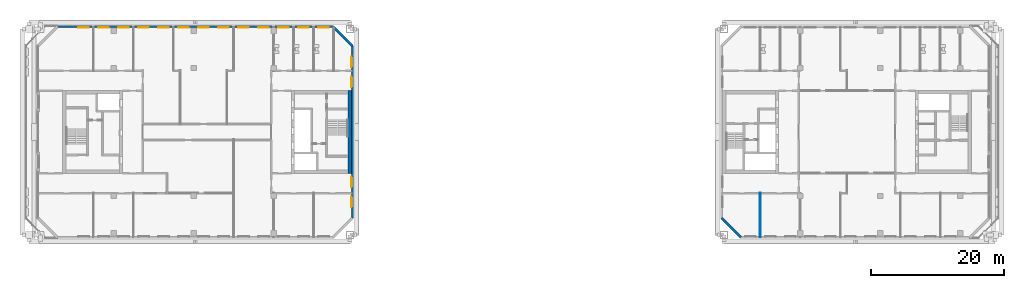
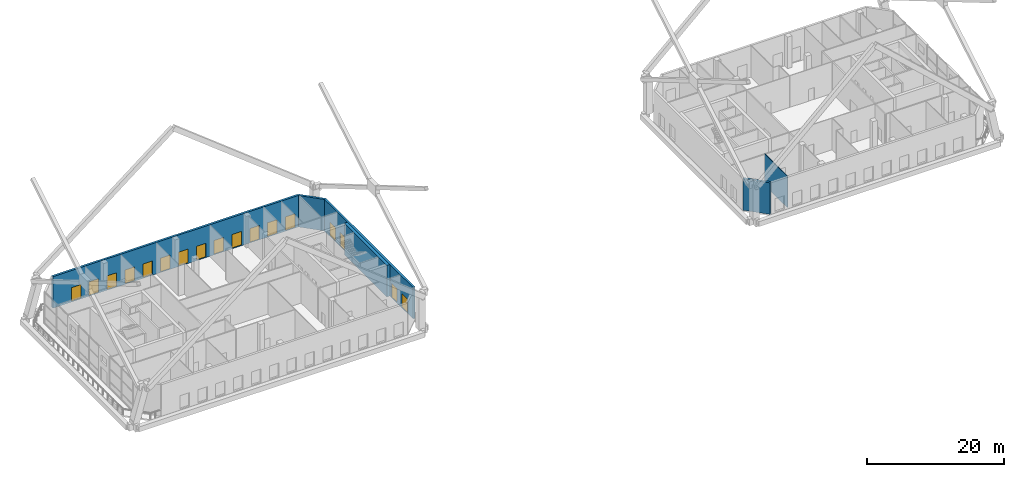
# One storey, part 12 of 20: 17 windows, 6 walls, 17 openings.
"""IFC4 building model written with IfcOpenShell, lengths in metres."""

import ifcopenshell
import ifcopenshell.guid

model = None  # the IFC model being written
_history = None  # IfcOwnerHistory: only IFC2X3 demands one
_inside = {}  # id of a spatial element -> (the spatial element, [elements in it])
_under = {}  # id of a project, library or spatial element -> (it, [spatial elements below it])
_declared = {}  # id of a project -> (the project, [libraries it declares])
_typed = {}  # id of a type object -> (the type object, [elements of that type])
_made_of = {}  # id of a material, layer set ... -> (it, [elements and type objects made of it])


def new_model(schema):
    """Start an empty IFC model of exactly this schema.

    Asked for "IFC4X3", IfcOpenShell would pick the latest addendum, in which some entities
    have other attributes; the version numbers below select the first issue.
    IFC2X3 requires an IfcOwnerHistory on every rooted entity: one is made here for all.
    """
    global model, _history
    if schema == "IFC4X3":
        model = ifcopenshell.file(schema_version=(4, 3, 0, 0))
    else:
        model = ifcopenshell.file(schema=schema)
    _inside.clear()
    _under.clear()
    _declared.clear()
    _typed.clear()
    _made_of.clear()
    _history = None
    if model.schema == "IFC2X3":
        org = make("IfcOrganization", Name="unknown")
        user = make(
            "IfcPersonAndOrganization",
            ThePerson=make("IfcPerson", FamilyName="unknown"),
            TheOrganization=org,
        )
        app = make(
            "IfcApplication",
            ApplicationDeveloper=org,
            Version="unknown",
            ApplicationFullName="unknown",
            ApplicationIdentifier="unknown",
        )
        _history = make(
            "IfcOwnerHistory",
            OwningUser=user,
            OwningApplication=app,
            ChangeAction="ADDED",
            CreationDate=0,
        )
    return model


def make(cls, **values):
    """One entity of the class cls with the attributes given. An attribute that is None is left unset."""
    return model.create_entity(
        cls, **{name: value for name, value in values.items() if value is not None}
    )


def rooted(cls, **values):
    """An entity with a GlobalId (a new one), such as an element, a storey or a relation."""
    return make(cls, GlobalId=ifcopenshell.guid.new(), OwnerHistory=_history, **values)


def si_unit(unit_type, name, prefix=None):
    """IfcSIUnit, for example si_unit("LENGTHUNIT", "METRE", prefix="MILLI")."""
    return make("IfcSIUnit", UnitType=unit_type, Prefix=prefix, Name=name)


def assignment(units):
    """IfcUnitAssignment: the units of a project."""
    return None if units is None else make("IfcUnitAssignment", Units=units)


def point(xyz):
    """IfcCartesianPoint."""
    return None if xyz is None else make("IfcCartesianPoint", Coordinates=xyz)


def direction(xyz):
    """IfcDirection."""
    return None if xyz is None else make("IfcDirection", DirectionRatios=xyz)


def frame(location, z_axis=None, x_axis=None):
    """IfcAxis2Placement3D, a coordinate frame: its origin and axes. An axis left out is left unset."""
    return make(
        "IfcAxis2Placement3D",
        Location=point(location),
        Axis=direction(z_axis),
        RefDirection=direction(x_axis),
    )


def frame_2d(location, x_axis=None):
    """IfcAxis2Placement2D, a coordinate frame in the plane: its origin and x axis."""
    return make(
        "IfcAxis2Placement2D", Location=point(location), RefDirection=direction(x_axis)
    )


def origin():
    """The frame at (0, 0, 0) with its axes left unset."""
    return frame((0.0, 0.0, 0.0))


def place(relative_to, where):
    """IfcLocalPlacement: puts the frame where relative to a parent placement (None: the world)."""
    return make(
        "IfcLocalPlacement", PlacementRelTo=relative_to, RelativePlacement=where
    )


def context(
    kind, dimensions, precision=None, world=None, true_north=None, identifier=None
):
    """IfcGeometricRepresentationContext, for example the 3D "Model" context."""
    return make(
        "IfcGeometricRepresentationContext",
        ContextIdentifier=identifier,
        ContextType=kind,
        CoordinateSpaceDimension=dimensions,
        Precision=precision,
        WorldCoordinateSystem=world,
        TrueNorth=true_north,
    )


def subcontext(parent, identifier, kind, view, scale=None):
    """IfcGeometricRepresentationSubContext, for example "Body" below "Model"."""
    return make(
        "IfcGeometricRepresentationSubContext",
        ContextIdentifier=identifier,
        ContextType=kind,
        ParentContext=parent,
        TargetScale=scale,
        TargetView=view,
    )


def project(units=None, contexts=None):
    """IfcProject with its units and contexts."""
    return rooted(
        "IfcProject",
        Name="project",
        RepresentationContexts=contexts,
        UnitsInContext=assignment(units),
    )


def spatial(cls, under=None, at=None, **own):
    """A site, building, storey or space (cls), placed at a placement, below another one or the project."""
    s = rooted(cls, ObjectPlacement=at, **own)
    if under is not None:
        _under.setdefault(under.id(), (under, []))[1].append(s)
    return s


def profile(cls, at=None, kind="AREA", **sizes):
    """A parametric profile (cls). Its sizes go by their IFC names, for example OverallWidth=200.0."""
    return make(cls, ProfileType=kind, Position=at, **sizes)


def rectangle(**sizes):
    """IfcRectangleProfileDef."""
    return profile("IfcRectangleProfileDef", **sizes)


def extrude(swept, where, along, depth):
    """IfcExtrudedAreaSolid: the profile swept, set in the frame where, extruded along a direction by depth."""
    return make(
        "IfcExtrudedAreaSolid",
        SweptArea=swept,
        Position=where,
        ExtrudedDirection=direction(along),
        Depth=depth,
    )


def shape(context_of_items, identifier, shape_type, items):
    """IfcShapeRepresentation: the items that make up one representation, for example the "Body"."""
    return make(
        "IfcShapeRepresentation",
        ContextOfItems=context_of_items,
        RepresentationIdentifier=identifier,
        RepresentationType=shape_type,
        Items=items,
    )


def material(Name=None, Category=None):
    """IfcMaterial."""
    return make("IfcMaterial", Name=Name, Category=Category)


def layer(
    of_material, thickness, ventilated=None, Name=None, Category=None, Priority=None
):
    """IfcMaterialLayer: one layer of a wall or slab, of a material (None: an air gap)."""
    return make(
        "IfcMaterialLayer",
        Material=of_material,
        LayerThickness=thickness,
        IsVentilated=ventilated,
        Name=Name,
        Category=Category,
        Priority=Priority,
    )


def layer_set(layers, Name=None):
    """IfcMaterialLayerSet."""
    return make("IfcMaterialLayerSet", MaterialLayers=layers, LayerSetName=Name)


def made_of(thing, what):
    """Note that an element or type object is made of a material, layer set ...; save() writes the relation."""
    if what is not None:
        _made_of.setdefault(what.id(), (what, []))[1].append(thing)
    return thing


def type_object(cls, material=None, **own):
    """A type object (cls), such as IfcWallType, which elements share."""
    return made_of(rooted(cls, **own), material)


def element(
    cls,
    number,
    at=None,
    inside=None,
    cuts=None,
    type_object=None,
    material=None,
    context=None,
    identifier="Body",
    shape_type=None,
    held_by="IfcProductDefinitionShape",
    body=None,
    shapes=None,
    **own,
):
    """One element of the class cls, such as IfcWall. Its Tag is "e" and its number.

    at: its placement. inside: the storey or other place that contains it. cuts: it is an
    opening in that element (IfcRelVoidsElement). A single representation is given by context,
    identifier, shape_type and body (its items); several are given by shapes. held_by: the class
    of the entity that holds the representations. save() writes the other relations.
    """
    e = rooted(cls, Tag="e%d" % number, ObjectPlacement=at, **own)
    if body is not None:
        shapes = [shape(context, identifier, shape_type, body)]
    if shapes is not None:
        e.Representation = make(held_by, Representations=shapes)
    if inside is not None:
        _inside.setdefault(inside.id(), (inside, []))[1].append(e)
    if cuts is not None:
        rooted(
            "IfcRelVoidsElement", RelatingBuildingElement=cuts, RelatedOpeningElement=e
        )
    if type_object is not None:
        _typed.setdefault(type_object.id(), (type_object, []))[1].append(e)
    return made_of(e, material)


def fill(opening, filler):
    """IfcRelFillsElement: the door or window that sits in an opening."""
    return rooted(
        "IfcRelFillsElement",
        RelatingOpeningElement=opening,
        RelatedBuildingElement=filler,
    )


def aggregate(whole, parts):
    """IfcRelAggregates: a whole, such as a stair, and the parts it consists of."""
    return rooted("IfcRelAggregates", RelatingObject=whole, RelatedObjects=parts)


def save(model, path):
    """Write the relations noted so far, then the file.

    IfcRelAggregates (storeys below a building ...), IfcRelContainedInSpatialStructure (elements
    in a storey), IfcRelDefinesByType, IfcRelAssociatesMaterial and IfcRelDeclares: one each for
    every whole, place, type object, material and project.
    """
    for whole, parts in _under.values():
        aggregate(whole, parts)
    for where, things in _inside.values():
        rooted(
            "IfcRelContainedInSpatialStructure",
            RelatedElements=things,
            RelatingStructure=where,
        )
    for kind, things in _typed.values():
        rooted("IfcRelDefinesByType", RelatedObjects=things, RelatingType=kind)
    for what, things in _made_of.values():
        rooted("IfcRelAssociatesMaterial", RelatedObjects=things, RelatingMaterial=what)
    for by, libraries in _declared.values():
        rooted("IfcRelDeclares", RelatingContext=by, RelatedDefinitions=libraries)
    model.write(path)


model = new_model("IFC4")

# Units and contexts
model_context = context("Model", 3, precision=1e-05, world=origin(), true_north=direction((0.0, 1.0)))
body_context = subcontext(model_context, "Body", "Model", "MODEL_VIEW")
ifc_project = project(units=[si_unit("LENGTHUNIT", "METRE"), si_unit("AREAUNIT", "SQUARE_METRE"), si_unit("VOLUMEUNIT", "CUBIC_METRE"), si_unit("PLANEANGLEUNIT", "RADIAN"), si_unit("MASSUNIT", "GRAM", prefix="KILO")], contexts=[model_context])

# Site, building, storey
site_placement = place(None, origin())
site = spatial("IfcSite", under=ifc_project, at=site_placement, CompositionType="ELEMENT")
building_placement = place(site_placement, origin())
building = spatial("IfcBuilding", under=site, at=building_placement, Name="Tuart Gate Housing", CompositionType="ELEMENT")
storey_placement = place(building_placement, frame((0.0, 0.0, 142.300048828125)))
storey = spatial("IfcBuildingStorey", under=building, at=storey_placement, Name="L40", CompositionType="ELEMENT", Elevation=142.300048828125)

# Wall, openings, windows
ifc_material_1 = material(Name="Brick", Category="masonry")
ifc_layer_1 = layer(ifc_material_1, 0.360107421875)
ifc_layer_set_1 = layer_set([ifc_layer_1], Name="Brick pier and spandrel wall 360")
wall_type_1 = type_object("IfcWallType", Name="Brick pier and spandrel wall 360", PredefinedType="STANDARD", material=ifc_layer_set_1)
wall_1_placement = place(storey_placement, frame((75.820068359375, 57.07470703125, 0.0), z_axis=(0.0, 0.0, 1.0), x_axis=(0.0, 1.0, 0.0)))
wall_1 = element("IfcWall", 1, at=wall_1_placement, inside=storey, type_object=wall_type_1, Name="External wall A-E L40", PredefinedType="STANDARD", context=body_context, shape_type="SweptSolid", body=[
    extrude(rectangle(XDim=25.850830078125, YDim=0.360107421875, at=frame_2d((12.92529296875, 0.0))), origin(), (0.0, 0.0, 1.0), 5.599853515625),
])
opening_1_placement = place(wall_1_placement, frame((1.62548828125, 0.0, 0.14990234375)))
opening_1 = element("IfcOpeningElement", 2, at=opening_1_placement, cuts=wall_1, Name="Opening W2", PredefinedType="OPENING", context=body_context, shape_type="SweptSolid", body=[
    extrude(rectangle(XDim=1.60009765625, YDim=2.39990234375, at=frame_2d((0.800048828125, 1.199951171875))), frame((0.0, 0.18994140625, 0.0), z_axis=(0.0, -1.0, 0.0), x_axis=(1.0, 0.0, 0.0)), (0.0, 0.0, 1.0), 0.380126953125),
])
opening_2_placement = place(wall_1_placement, frame((4.62548828125, 0.0, 0.14990234375)))
opening_2 = element("IfcOpeningElement", 3, at=opening_2_placement, cuts=wall_1, Name="Opening W2", PredefinedType="OPENING", context=body_context, shape_type="SweptSolid", body=[
    extrude(rectangle(XDim=1.60009765625, YDim=2.39990234375, at=frame_2d((0.800048828125, 1.199951171875))), frame((0.0, 0.18994140625, 0.0), z_axis=(0.0, -1.0, 0.0), x_axis=(1.0, 0.0, 0.0)), (0.0, 0.0, 1.0), 0.380126953125),
])
opening_3_placement = place(wall_1_placement, frame((19.62548828125, 0.0, 0.14990234375)))
opening_3 = element("IfcOpeningElement", 4, at=opening_3_placement, cuts=wall_1, Name="Opening W2", PredefinedType="OPENING", context=body_context, shape_type="SweptSolid", body=[
    extrude(rectangle(XDim=1.60009765625, YDim=2.39990234375, at=frame_2d((0.800048828125, 1.199951171875))), frame((0.0, 0.18994140625, 0.0), z_axis=(0.0, -1.0, 0.0), x_axis=(1.0, 0.0, 0.0)), (0.0, 0.0, 1.0), 0.380126953125),
])
opening_4_placement = place(wall_1_placement, frame((22.62548828125, 0.0, 0.14990234375)))
opening_4 = element("IfcOpeningElement", 5, at=opening_4_placement, cuts=wall_1, Name="Opening W2", PredefinedType="OPENING", context=body_context, shape_type="SweptSolid", body=[
    extrude(rectangle(XDim=1.60009765625, YDim=2.39990234375, at=frame_2d((0.800048828125, 1.199951171875))), frame((0.0, 0.18994140625, 0.0), z_axis=(0.0, -1.0, 0.0), x_axis=(1.0, 0.0, 0.0)), (0.0, 0.0, 1.0), 0.380126953125),
])
ifc_material_2 = material(Name="Aluminium frame with clear glass", Category="aluminium")
window_type = type_object("IfcWindowType", Name="Garden lounge window 1600 x 2400", PartitioningType="SINGLE_PANEL", PredefinedType="WINDOW", material=ifc_material_2)
window_1_placement = place(opening_1_placement, origin())
window_1 = element("IfcWindow", 6, at=window_1_placement, inside=storey, type_object=window_type, Name="Window W2", OverallHeight=2.39990234375, OverallWidth=1.60009765625, PartitioningType="SINGLE_PANEL", PredefinedType="WINDOW", context=body_context, shape_type="SweptSolid", body=[
    extrude(rectangle(XDim=1.60009765625, YDim=2.39990234375, at=frame_2d((0.800048828125, 1.199951171875))), frame((0.0, 0.150146484375, 0.0), z_axis=(0.0, -1.0, 0.0), x_axis=(1.0, 0.0, 0.0)), (0.0, 0.0, 1.0), 0.06005859375),
])
fill(opening_1, window_1)
window_2_placement = place(opening_2_placement, origin())
window_2 = element("IfcWindow", 7, at=window_2_placement, inside=storey, type_object=window_type, Name="Window W2", OverallHeight=2.39990234375, OverallWidth=1.60009765625, PartitioningType="SINGLE_PANEL", PredefinedType="WINDOW", context=body_context, shape_type="SweptSolid", body=[
    extrude(rectangle(XDim=1.60009765625, YDim=2.39990234375, at=frame_2d((0.800048828125, 1.199951171875))), frame((0.0, 0.150146484375, 0.0), z_axis=(0.0, -1.0, 0.0), x_axis=(1.0, 0.0, 0.0)), (0.0, 0.0, 1.0), 0.06005859375),
])
fill(opening_2, window_2)
window_3_placement = place(opening_3_placement, origin())
window_3 = element("IfcWindow", 8, at=window_3_placement, inside=storey, type_object=window_type, Name="Window W2", OverallHeight=2.39990234375, OverallWidth=1.60009765625, PartitioningType="SINGLE_PANEL", PredefinedType="WINDOW", context=body_context, shape_type="SweptSolid", body=[
    extrude(rectangle(XDim=1.60009765625, YDim=2.39990234375, at=frame_2d((0.800048828125, 1.199951171875))), frame((0.0, 0.150146484375, 0.0), z_axis=(0.0, -1.0, 0.0), x_axis=(1.0, 0.0, 0.0)), (0.0, 0.0, 1.0), 0.06005859375),
])
fill(opening_3, window_3)
window_4_placement = place(opening_4_placement, origin())
window_4 = element("IfcWindow", 9, at=window_4_placement, inside=storey, type_object=window_type, Name="Window W2", OverallHeight=2.39990234375, OverallWidth=1.60009765625, PartitioningType="SINGLE_PANEL", PredefinedType="WINDOW", context=body_context, shape_type="SweptSolid", body=[
    extrude(rectangle(XDim=1.60009765625, YDim=2.39990234375, at=frame_2d((0.800048828125, 1.199951171875))), frame((0.0, 0.150146484375, 0.0), z_axis=(0.0, -1.0, 0.0), x_axis=(1.0, 0.0, 0.0)), (0.0, 0.0, 1.0), 0.06005859375),
])
fill(opening_4, window_4)

# Wall
wall_2_placement = place(storey_placement, frame((75.820068359375, 82.92529296875, 0.0), z_axis=(0.0, 0.0, 1.0), x_axis=(-0.707106781187, 0.707106781187, 0.0)))
element("IfcWall", 10, at=wall_2_placement, inside=storey, type_object=wall_type_1, Name="External wall A-NE L40", PredefinedType="STANDARD", context=body_context, shape_type="SweptSolid", body=[
    extrude(rectangle(XDim=4.09375, YDim=0.360107421875, at=frame_2d((2.046875, 0.0))), origin(), (0.0, 0.0, 1.0), 5.599853515625),
])

# Wall, openings, windows
wall_3_placement = place(storey_placement, frame((72.92529296875, 85.820068359375, 0.0), z_axis=(0.0, 0.0, 1.0), x_axis=(-1.0, 0.0, 0.0)))
wall_3 = element("IfcWall", 11, at=wall_3_placement, inside=storey, type_object=wall_type_1, Name="External wall A-N L40", PredefinedType="STANDARD", context=body_context, shape_type="SweptSolid", body=[
    extrude(rectangle(XDim=41.350830078125, YDim=0.360107421875, at=frame_2d((20.67529296875, 0.0))), origin(), (0.0, 0.0, 1.0), 5.599853515625),
])
opening_5_placement = place(wall_3_placement, frame((0.62548828125, 0.0, 0.14990234375)))
opening_5 = element("IfcOpeningElement", 12, at=opening_5_placement, cuts=wall_3, Name="Opening W2", PredefinedType="OPENING", context=body_context, shape_type="SweptSolid", body=[
    extrude(rectangle(XDim=1.60009765625, YDim=2.39990234375, at=frame_2d((0.800048828125, 1.199951171875))), frame((0.0, 0.18994140625, 0.0), z_axis=(0.0, -1.0, 0.0), x_axis=(1.0, 0.0, 0.0)), (0.0, 0.0, 1.0), 0.380126953125),
])
opening_6_placement = place(wall_3_placement, frame((3.62548828125, 0.0, 0.14990234375)))
opening_6 = element("IfcOpeningElement", 13, at=opening_6_placement, cuts=wall_3, Name="Opening W2", PredefinedType="OPENING", context=body_context, shape_type="SweptSolid", body=[
    extrude(rectangle(XDim=1.60009765625, YDim=2.39990234375, at=frame_2d((0.800048828125, 1.199951171875))), frame((0.0, 0.18994140625, 0.0), z_axis=(0.0, -1.0, 0.0), x_axis=(1.0, 0.0, 0.0)), (0.0, 0.0, 1.0), 0.380126953125),
])
opening_7_placement = place(wall_3_placement, frame((6.62548828125, 0.0, 0.14990234375)))
opening_7 = element("IfcOpeningElement", 14, at=opening_7_placement, cuts=wall_3, Name="Opening W2", PredefinedType="OPENING", context=body_context, shape_type="SweptSolid", body=[
    extrude(rectangle(XDim=1.60009765625, YDim=2.39990234375, at=frame_2d((0.800048828125, 1.199951171875))), frame((0.0, 0.18994140625, 0.0), z_axis=(0.0, -1.0, 0.0), x_axis=(1.0, 0.0, 0.0)), (0.0, 0.0, 1.0), 0.380126953125),
])
opening_8_placement = place(wall_3_placement, frame((9.62548828125, 0.0, 0.14990234375)))
opening_8 = element("IfcOpeningElement", 15, at=opening_8_placement, cuts=wall_3, Name="Opening W2", PredefinedType="OPENING", context=body_context, shape_type="SweptSolid", body=[
    extrude(rectangle(XDim=1.60009765625, YDim=2.39990234375, at=frame_2d((0.800048828125, 1.199951171875))), frame((0.0, 0.18994140625, 0.0), z_axis=(0.0, -1.0, 0.0), x_axis=(1.0, 0.0, 0.0)), (0.0, 0.0, 1.0), 0.380126953125),
])
opening_9_placement = place(wall_3_placement, frame((12.62548828125, 0.0, 0.14990234375)))
opening_9 = element("IfcOpeningElement", 16, at=opening_9_placement, cuts=wall_3, Name="Opening W2", PredefinedType="OPENING", context=body_context, shape_type="SweptSolid", body=[
    extrude(rectangle(XDim=1.60009765625, YDim=2.39990234375, at=frame_2d((0.800048828125, 1.199951171875))), frame((0.0, 0.18994140625, 0.0), z_axis=(0.0, -1.0, 0.0), x_axis=(1.0, 0.0, 0.0)), (0.0, 0.0, 1.0), 0.380126953125),
])
opening_10_placement = place(wall_3_placement, frame((15.62548828125, 0.0, 0.14990234375)))
opening_10 = element("IfcOpeningElement", 17, at=opening_10_placement, cuts=wall_3, Name="Opening W2", PredefinedType="OPENING", context=body_context, shape_type="SweptSolid", body=[
    extrude(rectangle(XDim=1.60009765625, YDim=2.39990234375, at=frame_2d((0.800048828125, 1.199951171875))), frame((0.0, 0.18994140625, 0.0), z_axis=(0.0, -1.0, 0.0), x_axis=(1.0, 0.0, 0.0)), (0.0, 0.0, 1.0), 0.380126953125),
])
opening_11_placement = place(wall_3_placement, frame((18.62548828125, 0.0, 0.14990234375)))
opening_11 = element("IfcOpeningElement", 18, at=opening_11_placement, cuts=wall_3, Name="Opening W2", PredefinedType="OPENING", context=body_context, shape_type="SweptSolid", body=[
    extrude(rectangle(XDim=1.60009765625, YDim=2.39990234375, at=frame_2d((0.800048828125, 1.199951171875))), frame((0.0, 0.18994140625, 0.0), z_axis=(0.0, -1.0, 0.0), x_axis=(1.0, 0.0, 0.0)), (0.0, 0.0, 1.0), 0.380126953125),
])
opening_12_placement = place(wall_3_placement, frame((21.62548828125, 0.0, 0.14990234375)))
opening_12 = element("IfcOpeningElement", 19, at=opening_12_placement, cuts=wall_3, Name="Opening W2", PredefinedType="OPENING", context=body_context, shape_type="SweptSolid", body=[
    extrude(rectangle(XDim=1.60009765625, YDim=2.39990234375, at=frame_2d((0.800048828125, 1.199951171875))), frame((0.0, 0.18994140625, 0.0), z_axis=(0.0, -1.0, 0.0), x_axis=(1.0, 0.0, 0.0)), (0.0, 0.0, 1.0), 0.380126953125),
])
opening_13_placement = place(wall_3_placement, frame((24.62548828125, 0.0, 0.14990234375)))
opening_13 = element("IfcOpeningElement", 20, at=opening_13_placement, cuts=wall_3, Name="Opening W2", PredefinedType="OPENING", context=body_context, shape_type="SweptSolid", body=[
    extrude(rectangle(XDim=1.60009765625, YDim=2.39990234375, at=frame_2d((0.800048828125, 1.199951171875))), frame((0.0, 0.18994140625, 0.0), z_axis=(0.0, -1.0, 0.0), x_axis=(1.0, 0.0, 0.0)), (0.0, 0.0, 1.0), 0.380126953125),
])
opening_14_placement = place(wall_3_placement, frame((27.62548828125, 0.0, 0.14990234375)))
opening_14 = element("IfcOpeningElement", 21, at=opening_14_placement, cuts=wall_3, Name="Opening W2", PredefinedType="OPENING", context=body_context, shape_type="SweptSolid", body=[
    extrude(rectangle(XDim=1.60009765625, YDim=2.39990234375, at=frame_2d((0.800048828125, 1.199951171875))), frame((0.0, 0.18994140625, 0.0), z_axis=(0.0, -1.0, 0.0), x_axis=(1.0, 0.0, 0.0)), (0.0, 0.0, 1.0), 0.380126953125),
])
opening_15_placement = place(wall_3_placement, frame((30.62548828125, 0.0, 0.14990234375)))
opening_15 = element("IfcOpeningElement", 22, at=opening_15_placement, cuts=wall_3, Name="Opening W2", PredefinedType="OPENING", context=body_context, shape_type="SweptSolid", body=[
    extrude(rectangle(XDim=1.60009765625, YDim=2.39990234375, at=frame_2d((0.800048828125, 1.199951171875))), frame((0.0, 0.18994140625, 0.0), z_axis=(0.0, -1.0, 0.0), x_axis=(1.0, 0.0, 0.0)), (0.0, 0.0, 1.0), 0.380126953125),
])
opening_16_placement = place(wall_3_placement, frame((33.62548828125, 0.0, 0.14990234375)))
opening_16 = element("IfcOpeningElement", 23, at=opening_16_placement, cuts=wall_3, Name="Opening W2", PredefinedType="OPENING", context=body_context, shape_type="SweptSolid", body=[
    extrude(rectangle(XDim=1.60009765625, YDim=2.39990234375, at=frame_2d((0.800048828125, 1.199951171875))), frame((0.0, 0.18994140625, 0.0), z_axis=(0.0, -1.0, 0.0), x_axis=(1.0, 0.0, 0.0)), (0.0, 0.0, 1.0), 0.380126953125),
])
opening_17_placement = place(wall_3_placement, frame((36.62548828125, 0.0, 0.14990234375)))
opening_17 = element("IfcOpeningElement", 24, at=opening_17_placement, cuts=wall_3, Name="Opening W2", PredefinedType="OPENING", context=body_context, shape_type="SweptSolid", body=[
    extrude(rectangle(XDim=1.60009765625, YDim=2.39990234375, at=frame_2d((0.800048828125, 1.199951171875))), frame((0.0, 0.18994140625, 0.0), z_axis=(0.0, -1.0, 0.0), x_axis=(1.0, 0.0, 0.0)), (0.0, 0.0, 1.0), 0.380126953125),
])
window_5_placement = place(opening_5_placement, origin())
window_5 = element("IfcWindow", 25, at=window_5_placement, inside=storey, type_object=window_type, Name="Window W2", OverallHeight=2.39990234375, OverallWidth=1.60009765625, PartitioningType="SINGLE_PANEL", PredefinedType="WINDOW", context=body_context, shape_type="SweptSolid", body=[
    extrude(rectangle(XDim=1.60009765625, YDim=2.39990234375, at=frame_2d((0.800048828125, 1.199951171875))), frame((0.0, 0.150146484375, 0.0), z_axis=(0.0, -1.0, 0.0), x_axis=(1.0, 0.0, 0.0)), (0.0, 0.0, 1.0), 0.06005859375),
])
fill(opening_5, window_5)
window_6_placement = place(opening_6_placement, origin())
window_6 = element("IfcWindow", 26, at=window_6_placement, inside=storey, type_object=window_type, Name="Window W2", OverallHeight=2.39990234375, OverallWidth=1.60009765625, PartitioningType="SINGLE_PANEL", PredefinedType="WINDOW", context=body_context, shape_type="SweptSolid", body=[
    extrude(rectangle(XDim=1.60009765625, YDim=2.39990234375, at=frame_2d((0.800048828125, 1.199951171875))), frame((0.0, 0.150146484375, 0.0), z_axis=(0.0, -1.0, 0.0), x_axis=(1.0, 0.0, 0.0)), (0.0, 0.0, 1.0), 0.06005859375),
])
fill(opening_6, window_6)
window_7_placement = place(opening_7_placement, origin())
window_7 = element("IfcWindow", 27, at=window_7_placement, inside=storey, type_object=window_type, Name="Window W2", OverallHeight=2.39990234375, OverallWidth=1.60009765625, PartitioningType="SINGLE_PANEL", PredefinedType="WINDOW", context=body_context, shape_type="SweptSolid", body=[
    extrude(rectangle(XDim=1.60009765625, YDim=2.39990234375, at=frame_2d((0.800048828125, 1.199951171875))), frame((0.0, 0.150146484375, 0.0), z_axis=(0.0, -1.0, 0.0), x_axis=(1.0, 0.0, 0.0)), (0.0, 0.0, 1.0), 0.06005859375),
])
fill(opening_7, window_7)
window_8_placement = place(opening_8_placement, origin())
window_8 = element("IfcWindow", 28, at=window_8_placement, inside=storey, type_object=window_type, Name="Window W2", OverallHeight=2.39990234375, OverallWidth=1.60009765625, PartitioningType="SINGLE_PANEL", PredefinedType="WINDOW", context=body_context, shape_type="SweptSolid", body=[
    extrude(rectangle(XDim=1.60009765625, YDim=2.39990234375, at=frame_2d((0.800048828125, 1.199951171875))), frame((0.0, 0.150146484375, 0.0), z_axis=(0.0, -1.0, 0.0), x_axis=(1.0, 0.0, 0.0)), (0.0, 0.0, 1.0), 0.06005859375),
])
fill(opening_8, window_8)
window_9_placement = place(opening_9_placement, origin())
window_9 = element("IfcWindow", 29, at=window_9_placement, inside=storey, type_object=window_type, Name="Window W2", OverallHeight=2.39990234375, OverallWidth=1.60009765625, PartitioningType="SINGLE_PANEL", PredefinedType="WINDOW", context=body_context, shape_type="SweptSolid", body=[
    extrude(rectangle(XDim=1.60009765625, YDim=2.39990234375, at=frame_2d((0.800048828125, 1.199951171875))), frame((0.0, 0.150146484375, 0.0), z_axis=(0.0, -1.0, 0.0), x_axis=(1.0, 0.0, 0.0)), (0.0, 0.0, 1.0), 0.06005859375),
])
fill(opening_9, window_9)
window_10_placement = place(opening_10_placement, origin())
window_10 = element("IfcWindow", 30, at=window_10_placement, inside=storey, type_object=window_type, Name="Window W2", OverallHeight=2.39990234375, OverallWidth=1.60009765625, PartitioningType="SINGLE_PANEL", PredefinedType="WINDOW", context=body_context, shape_type="SweptSolid", body=[
    extrude(rectangle(XDim=1.60009765625, YDim=2.39990234375, at=frame_2d((0.800048828125, 1.199951171875))), frame((0.0, 0.150146484375, 0.0), z_axis=(0.0, -1.0, 0.0), x_axis=(1.0, 0.0, 0.0)), (0.0, 0.0, 1.0), 0.06005859375),
])
fill(opening_10, window_10)
window_11_placement = place(opening_11_placement, origin())
window_11 = element("IfcWindow", 31, at=window_11_placement, inside=storey, type_object=window_type, Name="Window W2", OverallHeight=2.39990234375, OverallWidth=1.60009765625, PartitioningType="SINGLE_PANEL", PredefinedType="WINDOW", context=body_context, shape_type="SweptSolid", body=[
    extrude(rectangle(XDim=1.60009765625, YDim=2.39990234375, at=frame_2d((0.800048828125, 1.199951171875))), frame((0.0, 0.150146484375, 0.0), z_axis=(0.0, -1.0, 0.0), x_axis=(1.0, 0.0, 0.0)), (0.0, 0.0, 1.0), 0.06005859375),
])
fill(opening_11, window_11)
window_12_placement = place(opening_12_placement, origin())
window_12 = element("IfcWindow", 32, at=window_12_placement, inside=storey, type_object=window_type, Name="Window W2", OverallHeight=2.39990234375, OverallWidth=1.60009765625, PartitioningType="SINGLE_PANEL", PredefinedType="WINDOW", context=body_context, shape_type="SweptSolid", body=[
    extrude(rectangle(XDim=1.60009765625, YDim=2.39990234375, at=frame_2d((0.800048828125, 1.199951171875))), frame((0.0, 0.150146484375, 0.0), z_axis=(0.0, -1.0, 0.0), x_axis=(1.0, 0.0, 0.0)), (0.0, 0.0, 1.0), 0.06005859375),
])
fill(opening_12, window_12)
window_13_placement = place(opening_13_placement, origin())
window_13 = element("IfcWindow", 33, at=window_13_placement, inside=storey, type_object=window_type, Name="Window W2", OverallHeight=2.39990234375, OverallWidth=1.60009765625, PartitioningType="SINGLE_PANEL", PredefinedType="WINDOW", context=body_context, shape_type="SweptSolid", body=[
    extrude(rectangle(XDim=1.60009765625, YDim=2.39990234375, at=frame_2d((0.800048828125, 1.199951171875))), frame((0.0, 0.150146484375, 0.0), z_axis=(0.0, -1.0, 0.0), x_axis=(1.0, 0.0, 0.0)), (0.0, 0.0, 1.0), 0.06005859375),
])
fill(opening_13, window_13)
window_14_placement = place(opening_14_placement, origin())
window_14 = element("IfcWindow", 34, at=window_14_placement, inside=storey, type_object=window_type, Name="Window W2", OverallHeight=2.39990234375, OverallWidth=1.60009765625, PartitioningType="SINGLE_PANEL", PredefinedType="WINDOW", context=body_context, shape_type="SweptSolid", body=[
    extrude(rectangle(XDim=1.60009765625, YDim=2.39990234375, at=frame_2d((0.800048828125, 1.199951171875))), frame((0.0, 0.150146484375, 0.0), z_axis=(0.0, -1.0, 0.0), x_axis=(1.0, 0.0, 0.0)), (0.0, 0.0, 1.0), 0.06005859375),
])
fill(opening_14, window_14)
window_15_placement = place(opening_15_placement, origin())
window_15 = element("IfcWindow", 35, at=window_15_placement, inside=storey, type_object=window_type, Name="Window W2", OverallHeight=2.39990234375, OverallWidth=1.60009765625, PartitioningType="SINGLE_PANEL", PredefinedType="WINDOW", context=body_context, shape_type="SweptSolid", body=[
    extrude(rectangle(XDim=1.60009765625, YDim=2.39990234375, at=frame_2d((0.800048828125, 1.199951171875))), frame((0.0, 0.150146484375, 0.0), z_axis=(0.0, -1.0, 0.0), x_axis=(1.0, 0.0, 0.0)), (0.0, 0.0, 1.0), 0.06005859375),
])
fill(opening_15, window_15)
window_16_placement = place(opening_16_placement, origin())
window_16 = element("IfcWindow", 36, at=window_16_placement, inside=storey, type_object=window_type, Name="Window W2", OverallHeight=2.39990234375, OverallWidth=1.60009765625, PartitioningType="SINGLE_PANEL", PredefinedType="WINDOW", context=body_context, shape_type="SweptSolid", body=[
    extrude(rectangle(XDim=1.60009765625, YDim=2.39990234375, at=frame_2d((0.800048828125, 1.199951171875))), frame((0.0, 0.150146484375, 0.0), z_axis=(0.0, -1.0, 0.0), x_axis=(1.0, 0.0, 0.0)), (0.0, 0.0, 1.0), 0.06005859375),
])
fill(opening_16, window_16)
window_17_placement = place(opening_17_placement, origin())
window_17 = element("IfcWindow", 37, at=window_17_placement, inside=storey, type_object=window_type, Name="Window W2", OverallHeight=2.39990234375, OverallWidth=1.60009765625, PartitioningType="SINGLE_PANEL", PredefinedType="WINDOW", context=body_context, shape_type="SweptSolid", body=[
    extrude(rectangle(XDim=1.60009765625, YDim=2.39990234375, at=frame_2d((0.800048828125, 1.199951171875))), frame((0.0, 0.150146484375, 0.0), z_axis=(0.0, -1.0, 0.0), x_axis=(1.0, 0.0, 0.0)), (0.0, 0.0, 1.0), 0.06005859375),
])
fill(opening_17, window_17)

# Walls
wall_4_placement = place(storey_placement, frame((131.179931640625, 57.07470703125, 0.0), z_axis=(0.0, 0.0, 1.0), x_axis=(0.707106781187, -0.707106781187, 0.0)))
element("IfcWall", 38, at=wall_4_placement, inside=storey, type_object=wall_type_1, Name="External wall B-SW L40", PredefinedType="STANDARD", context=body_context, shape_type="SweptSolid", body=[
    extrude(rectangle(XDim=4.09375, YDim=0.360107421875, at=frame_2d((2.046875, 0.0))), origin(), (0.0, 0.0, 1.0), 5.599853515625),
])
ifc_material_3 = material(Name="Concrete C40", Category="concrete")
ifc_layer_2 = layer(ifc_material_3, 0.5)
ifc_layer_set_2 = layer_set([ifc_layer_2], Name="Core wall 500 C40")
wall_type_2 = type_object("IfcWallType", Name="Core wall 500 C40", PredefinedType="SHEAR", material=ifc_layer_set_2)
wall_5_placement = place(storey_placement, frame((75.389892578125, 63.800048828125, 0.0), z_axis=(0.0, 0.0, 1.0), x_axis=(0.0, 1.0, 0.0)))
element("IfcWall", 39, at=wall_5_placement, inside=storey, type_object=wall_type_2, Name="Core wall AG back", PredefinedType="SHEAR", context=body_context, shape_type="SweptSolid", body=[
    extrude(rectangle(XDim=12.39990234375, YDim=0.5, at=frame_2d((6.199951171875, 0.0))), origin(), (0.0, 0.0, 1.0), 5.599853515625),
])
ifc_material_4 = material(Name="Gypsum board on steel studs", Category="steel")
ifc_layer_3 = layer(ifc_material_4, 0.10009765625)
ifc_layer_set_3 = layer_set([ifc_layer_3], Name="Partition 100")
wall_type_3 = type_object("IfcWallType", Name="Partition 100", PredefinedType="PARTITIONING", material=ifc_layer_set_3)
wall_6_placement = place(storey_placement, frame((137.0, 54.239990234375, 0.0), z_axis=(0.0, 0.0, 1.0), x_axis=(0.0, 1.0, 0.0)))
element("IfcWall", 40, at=wall_6_placement, inside=storey, type_object=wall_type_3, Name="Partition 100", PredefinedType="PARTITIONING", context=body_context, shape_type="SweptSolid", body=[
    extrude(rectangle(XDim=6.659912109375, YDim=0.10009765625, at=frame_2d((3.330078125, 0.0))), origin(), (0.0, 0.0, 1.0), 5.599853515625),
])

save(model, "model.ifc")
